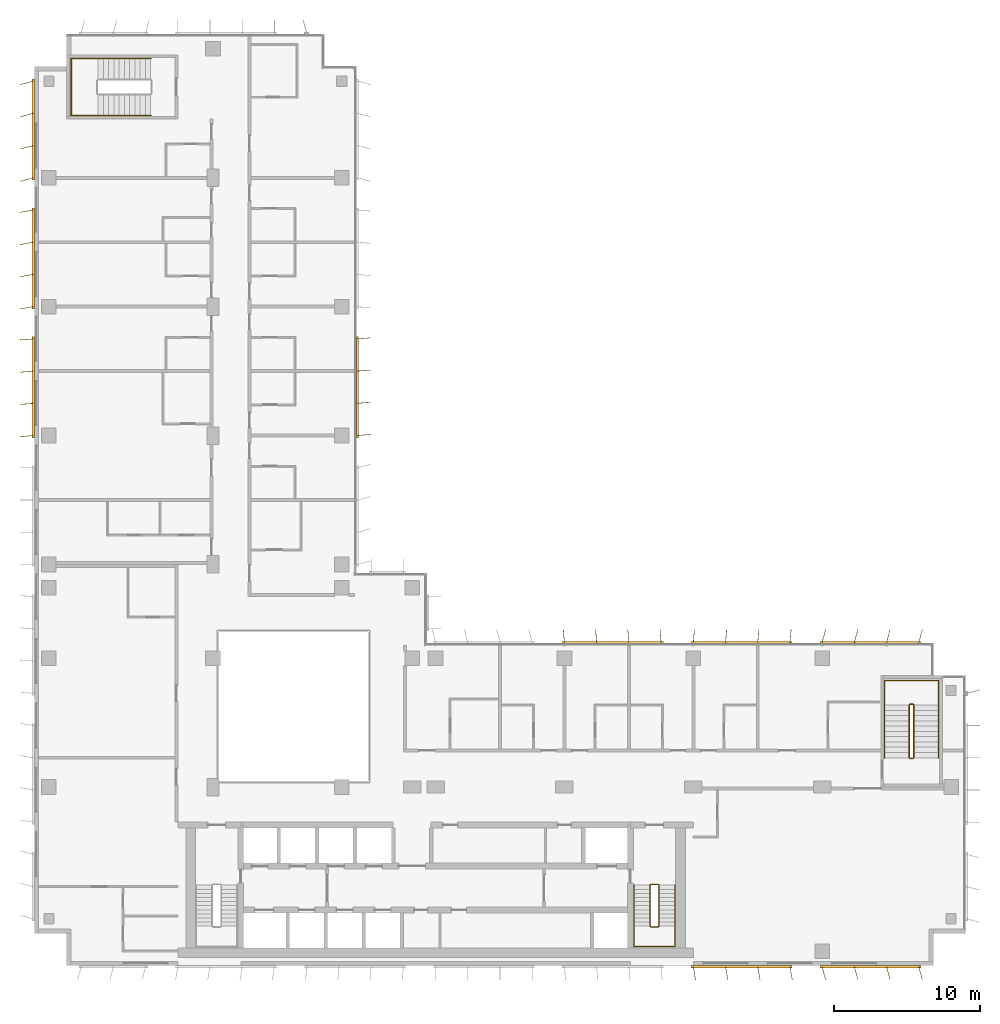
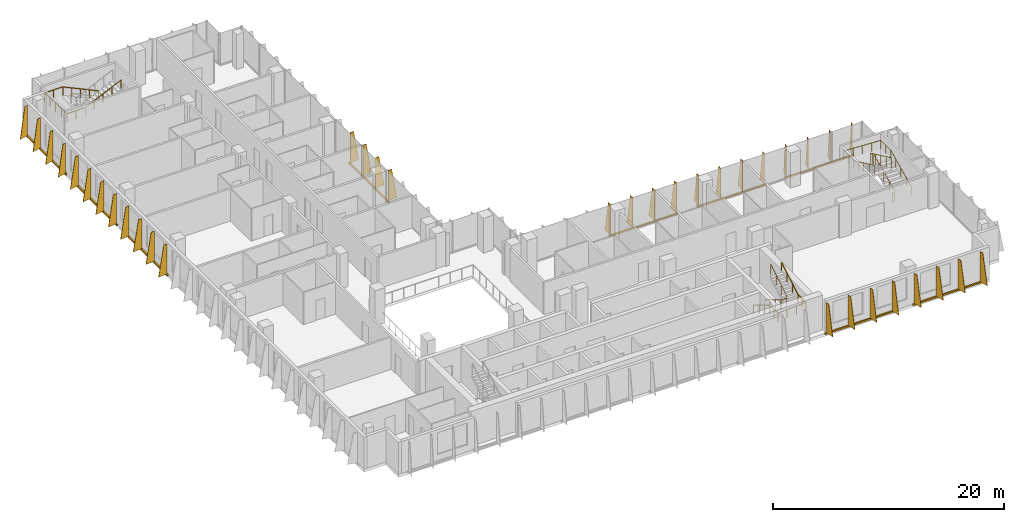
# One storey, part 20 of 21: 9 shading devices, 5 railings.
"""IFC4 building model written with IfcOpenShell, lengths in metres."""

from ifc_helpers import new_model, si_unit, direction, frame, origin, origin_2d, place, context, subcontext, project, spatial, polyline, rectangle, circle, outline, extrude, source, transform, mapped, material, layer, layer_set, type_object, element, save


model = new_model("IFC4")

# Units and contexts
model_context = context("Model", 3, precision=1e-05, world=origin(), true_north=direction((0.0, 1.0)))
body_context = subcontext(model_context, "Body", "Model", "MODEL_VIEW")
ifc_project = project(units=[si_unit("LENGTHUNIT", "METRE"), si_unit("AREAUNIT", "SQUARE_METRE"), si_unit("VOLUMEUNIT", "CUBIC_METRE"), si_unit("PLANEANGLEUNIT", "RADIAN"), si_unit("MASSUNIT", "GRAM", prefix="KILO")], contexts=[model_context])

# Site, building, storey
site_placement = place(None, origin())
site = spatial("IfcSite", under=ifc_project, at=site_placement, CompositionType="ELEMENT")
building_placement = place(site_placement, origin())
building = spatial("IfcBuilding", under=site, at=building_placement, Name="Kemantara Hotel Tower", CompositionType="ELEMENT")
storey_placement = place(building_placement, frame((0.0, 0.0, 182.699951171875)))
storey = spatial("IfcBuildingStorey", under=building, at=storey_placement, Name="L45", CompositionType="ELEMENT", Elevation=182.699951171875)

# Railings
ifc_material_1 = material(Name="Stainless steel balustrade", Category="steel")
railing_type_1 = type_object("IfcRailingType", Name="Stair guard 1100 mm", PredefinedType="GUARDRAIL", material=ifc_material_1)
railing_1_placement = place(storey_placement, frame((42.64990234375, 5.5, 3.699951171875)))
element("IfcRailing", 1, at=railing_1_placement, inside=storey, type_object=railing_type_1, Name="L45 ST2 stair guard 1", PredefinedType="GUARDRAIL", context=body_context, shape_type="SweptSolid", body=[
    extrude(circle(Radius=0.02392578125, at=origin_2d()), frame((0.0, 0.0, 1.076171875), z_axis=(0.0, -0.857275202839, -0.514858452973), x_axis=(1.0, 0.0, 0.0)), (0.0, 0.0, 1.0), 3.26611328125),
    extrude(circle(Radius=0.02392578125, at=origin_2d()), frame((0.0, -2.800048828125, -0.60546875), z_axis=(-0.273006030465, -0.27434429532, -0.922064485248), x_axis=(0.708833529934, -0.705375805398, 0.0)), (0.0, 0.0, 1.0), 0.182373046875),
    extrude(circle(Radius=0.02392578125, at=origin_2d()), frame((-0.0498046875, -2.85009765625, -0.77392578125), z_axis=(-1.0, 0.0, 0.0), x_axis=(0.0, -1.0, 0.0)), (0.0, 0.0, 1.0), 0.5),
    extrude(circle(Radius=0.02392578125, at=origin_2d()), frame((-0.5498046875, -2.85009765625, -0.77392578125), z_axis=(-0.707106781187, 0.707106781187, 0.0), x_axis=(-0.707106781187, -0.707106781187, 0.0)), (0.0, 0.0, 1.0), 0.07080078125),
    extrude(circle(Radius=0.02392578125, at=origin_2d()), frame((-0.599853515625, -2.800048828125, -0.77392578125), z_axis=(0.0, 0.857242210791, -0.514913383045), x_axis=(-1.0, 0.0, 0.0)), (0.0, 0.0, 1.0), 3.266357421875),
    extrude(circle(Radius=0.02392578125, at=origin_2d()), frame((-0.599853515625, 0.0, -2.45556640625), z_axis=(0.274243871929, 0.274243871929, -0.92172696468), x_axis=(-0.707106781187, 0.707106781187, 0.0)), (0.0, 0.0, 1.0), 0.1826171875),
    extrude(circle(Radius=0.02392578125, at=origin_2d()), frame((-0.5498046875, 0.050048828125, -2.6240234375), z_axis=(1.0, 0.0, 0.0), x_axis=(0.0, 1.0, 0.0)), (0.0, 0.0, 1.0), 0.5),
    extrude(circle(Radius=0.02099609375, at=origin_2d()), origin(), (0.0, 0.0, 1.0), 1.052001953125),
    extrude(circle(Radius=0.02099609375, at=origin_2d()), frame((0.0, -0.933349609375, -0.560546875)), (0.0, 0.0, 1.0), 1.052001953125),
    extrude(circle(Radius=0.02099609375, at=origin_2d()), frame((0.0, -1.86669921875, -1.12109375)), (0.0, 0.0, 1.0), 1.052001953125),
    extrude(circle(Radius=0.02099609375, at=origin_2d()), frame((0.0, -2.800048828125, -1.681640625)), (0.0, 0.0, 1.0), 1.052001953125),
    extrude(circle(Radius=0.02099609375, at=origin_2d()), frame((-0.0498046875, -2.85009765625, -1.849853515625)), (0.0, 0.0, 1.0), 1.052001953125),
    extrude(circle(Radius=0.02099609375, at=origin_2d()), frame((-0.5498046875, -2.85009765625, -1.849853515625)), (0.0, 0.0, 1.0), 1.052001953125),
    extrude(circle(Radius=0.02099609375, at=origin_2d()), frame((-0.599853515625, -2.800048828125, -1.849853515625)), (0.0, 0.0, 1.0), 1.052001953125),
    extrude(circle(Radius=0.02099609375, at=origin_2d()), frame((-0.599853515625, -1.86669921875, -2.410400390625)), (0.0, 0.0, 1.0), 1.052001953125),
    extrude(circle(Radius=0.02099609375, at=origin_2d()), frame((-0.599853515625, -0.933349609375, -2.97119140625)), (0.0, 0.0, 1.0), 1.052001953125),
    extrude(circle(Radius=0.02099609375, at=origin_2d()), frame((-0.599853515625, 0.0, -3.53173828125)), (0.0, 0.0, 1.0), 1.052001953125),
    extrude(circle(Radius=0.02099609375, at=origin_2d()), frame((-0.5498046875, 0.050048828125, -3.699951171875)), (0.0, 0.0, 1.0), 1.052001953125),
    extrude(circle(Radius=0.02099609375, at=origin_2d()), frame((-0.0498046875, 0.050048828125, -3.699951171875)), (0.0, 0.0, 1.0), 1.052001953125),
])
railing_2_placement = place(storey_placement, frame((59.75, 14.199951171875, 3.699951171875)))
element("IfcRailing", 2, at=railing_2_placement, inside=storey, type_object=railing_type_1, Name="L45 ST3 stair guard 1", PredefinedType="GUARDRAIL", context=body_context, shape_type="SweptSolid", body=[
    extrude(circle(Radius=0.02392578125, at=origin_2d()), frame((0.0, 0.0, 1.076171875), z_axis=(0.0, 0.906029249863, -0.423215073447), x_axis=(-1.0, 0.0, 0.0)), (0.0, 0.0, 1.0), 3.973388671875),
    extrude(circle(Radius=0.02392578125, at=origin_2d()), frame((0.0, 3.60009765625, -0.60546875), z_axis=(0.274243871929, 0.274243871929, -0.92172696468), x_axis=(-0.707106781187, 0.707106781187, 0.0)), (0.0, 0.0, 1.0), 0.1826171875),
    extrude(circle(Radius=0.02392578125, at=origin_2d()), frame((0.050048828125, 3.650146484375, -0.77392578125), z_axis=(1.0, 0.0, 0.0), x_axis=(0.0, 1.0, 0.0)), (0.0, 0.0, 1.0), 0.199951171875),
    extrude(circle(Radius=0.02392578125, at=origin_2d()), frame((0.25, 3.650146484375, -0.77392578125), z_axis=(0.707106781187, -0.707106781187, 0.0), x_axis=(0.707106781187, 0.707106781187, 0.0)), (0.0, 0.0, 1.0), 0.07080078125),
    extrude(circle(Radius=0.02392578125, at=origin_2d()), frame((0.300048828125, 3.60009765625, -0.77392578125), z_axis=(0.0, -0.906005689286, -0.423265508849), x_axis=(1.0, 0.0, 0.0)), (0.0, 0.0, 1.0), 3.9736328125),
    extrude(circle(Radius=0.02392578125, at=origin_2d()), frame((0.300048828125, 0.0, -2.45556640625), z_axis=(-0.274243871929, -0.274243871929, -0.92172696468), x_axis=(0.707106781187, -0.707106781187, 0.0)), (0.0, 0.0, 1.0), 0.1826171875),
    extrude(circle(Radius=0.02392578125, at=origin_2d()), frame((0.25, -0.050048828125, -2.6240234375), z_axis=(-1.0, 0.0, 0.0), x_axis=(0.0, -1.0, 0.0)), (0.0, 0.0, 1.0), 0.199951171875),
    extrude(circle(Radius=0.02099609375, at=origin_2d()), origin(), (0.0, 0.0, 1.0), 1.052001953125),
    extrude(circle(Radius=0.02099609375, at=origin_2d()), frame((0.0, 0.89990234375, -0.42041015625)), (0.0, 0.0, 1.0), 1.052001953125),
    extrude(circle(Radius=0.02099609375, at=origin_2d()), frame((0.0, 1.800048828125, -0.8408203125)), (0.0, 0.0, 1.0), 1.052001953125),
    extrude(circle(Radius=0.02099609375, at=origin_2d()), frame((0.0, 2.7001953125, -1.26123046875)), (0.0, 0.0, 1.0), 1.052001953125),
    extrude(circle(Radius=0.02099609375, at=origin_2d()), frame((0.0, 3.60009765625, -1.681640625)), (0.0, 0.0, 1.0), 1.052001953125),
    extrude(circle(Radius=0.02099609375, at=origin_2d()), frame((0.050048828125, 3.650146484375, -1.849853515625)), (0.0, 0.0, 1.0), 1.052001953125),
    extrude(circle(Radius=0.02099609375, at=origin_2d()), frame((0.25, 3.650146484375, -1.849853515625)), (0.0, 0.0, 1.0), 1.052001953125),
    extrude(circle(Radius=0.02099609375, at=origin_2d()), frame((0.300048828125, 3.60009765625, -1.849853515625)), (0.0, 0.0, 1.0), 1.052001953125),
    extrude(circle(Radius=0.02099609375, at=origin_2d()), frame((0.300048828125, 2.7001953125, -2.270263671875)), (0.0, 0.0, 1.0), 1.052001953125),
    extrude(circle(Radius=0.02099609375, at=origin_2d()), frame((0.300048828125, 1.800048828125, -2.69091796875)), (0.0, 0.0, 1.0), 1.052001953125),
    extrude(circle(Radius=0.02099609375, at=origin_2d()), frame((0.300048828125, 0.89990234375, -3.111328125)), (0.0, 0.0, 1.0), 1.052001953125),
    extrude(circle(Radius=0.02099609375, at=origin_2d()), frame((0.300048828125, 0.0, -3.53173828125)), (0.0, 0.0, 1.0), 1.052001953125),
    extrude(circle(Radius=0.02099609375, at=origin_2d()), frame((0.25, -0.050048828125, -3.699951171875)), (0.0, 0.0, 1.0), 1.052001953125),
    extrude(circle(Radius=0.02099609375, at=origin_2d()), frame((0.050048828125, -0.050048828125, -3.699951171875)), (0.0, 0.0, 1.0), 1.052001953125),
])
railing_type_2 = type_object("IfcRailingType", Name="Stair handrail 900 mm", PredefinedType="HANDRAIL", material=ifc_material_1)
railing_3_placement = place(storey_placement, frame((40.949951171875, 5.5, 0.168212890625)))
element("IfcRailing", 3, at=railing_3_placement, inside=storey, type_object=railing_type_2, Name="L45 ST2 stair handrail 1", PredefinedType="HANDRAIL", context=body_context, shape_type="SweptSolid", body=[
    extrude(circle(Radius=0.02392578125, at=origin_2d()), frame((0.0, 0.0, 0.8759765625), z_axis=(0.0, -0.857242210791, 0.514913383045), x_axis=(1.0, 0.0, 0.0)), (0.0, 0.0, 1.0), 3.266357421875),
    extrude(circle(Radius=0.02392578125, at=origin_2d()), frame((0.0, -2.800048828125, 2.5576171875), z_axis=(0.0, -1.0, 0.0), x_axis=(1.0, 0.0, 0.0)), (0.0, 0.0, 1.0), 1.3798828125),
    extrude(circle(Radius=0.02392578125, at=origin_2d()), frame((0.0, -4.179931640625, 2.5576171875), z_axis=(0.998200367801, 0.0, 0.059966871865), x_axis=(0.0, 1.0, 0.0)), (0.0, 0.0, 1.0), 2.80517578125),
    extrude(circle(Radius=0.02392578125, at=origin_2d()), frame((2.800048828125, -4.179931640625, 2.72607421875), z_axis=(0.0, 1.0, 0.0), x_axis=(-1.0, 0.0, 0.0)), (0.0, 0.0, 1.0), 1.3798828125),
    extrude(circle(Radius=0.02392578125, at=origin_2d()), frame((2.800048828125, -2.800048828125, 2.72607421875), z_axis=(0.0, 0.857275202839, 0.514858452973), x_axis=(-1.0, 0.0, 0.0)), (0.0, 0.0, 1.0), 3.26611328125),
    extrude(circle(Radius=0.02099609375, at=origin_2d()), origin(), (0.0, 0.0, 1.0), 0.851806640625),
    extrude(circle(Radius=0.02099609375, at=origin_2d()), frame((0.0, -0.933349609375, 0.560546875)), (0.0, 0.0, 1.0), 0.851806640625),
    extrude(circle(Radius=0.02099609375, at=origin_2d()), frame((0.0, -1.86669921875, 1.121337890625)), (0.0, 0.0, 1.0), 0.851806640625),
    extrude(circle(Radius=0.02099609375, at=origin_2d()), frame((0.0, -2.800048828125, 1.681884765625)), (0.0, 0.0, 1.0), 0.851806640625),
    extrude(circle(Radius=0.02099609375, at=origin_2d()), frame((0.0, -3.489990234375, 1.681884765625)), (0.0, 0.0, 1.0), 0.851806640625),
    extrude(circle(Radius=0.02099609375, at=origin_2d()), frame((0.0, -4.179931640625, 1.681884765625)), (0.0, 0.0, 1.0), 0.851806640625),
    extrude(circle(Radius=0.02099609375, at=origin_2d()), frame((0.933349609375, -4.179931640625, 1.738037109375)), (0.0, 0.0, 1.0), 0.851806640625),
    extrude(circle(Radius=0.02099609375, at=origin_2d()), frame((1.86669921875, -4.179931640625, 1.7939453125)), (0.0, 0.0, 1.0), 0.851806640625),
    extrude(circle(Radius=0.02099609375, at=origin_2d()), frame((2.800048828125, -4.179931640625, 1.85009765625)), (0.0, 0.0, 1.0), 0.851806640625),
    extrude(circle(Radius=0.02099609375, at=origin_2d()), frame((2.800048828125, -3.489990234375, 1.85009765625)), (0.0, 0.0, 1.0), 0.851806640625),
    extrude(circle(Radius=0.02099609375, at=origin_2d()), frame((2.800048828125, -2.800048828125, 1.85009765625)), (0.0, 0.0, 1.0), 0.851806640625),
    extrude(circle(Radius=0.02099609375, at=origin_2d()), frame((2.800048828125, -1.86669921875, 2.41064453125)), (0.0, 0.0, 1.0), 0.851806640625),
    extrude(circle(Radius=0.02099609375, at=origin_2d()), frame((2.800048828125, -0.933349609375, 2.97119140625)), (0.0, 0.0, 1.0), 0.851806640625),
    extrude(circle(Radius=0.02099609375, at=origin_2d()), frame((2.800048828125, 0.0, 3.53173828125)), (0.0, 0.0, 1.0), 0.851806640625),
])
railing_4_placement = place(storey_placement, frame((61.75, 14.199951171875, 0.168212890625)))
element("IfcRailing", 4, at=railing_4_placement, inside=storey, type_object=railing_type_2, Name="L45 ST3 stair handrail 1", PredefinedType="HANDRAIL", context=body_context, shape_type="SweptSolid", body=[
    extrude(circle(Radius=0.02392578125, at=origin_2d()), frame((0.0, 0.0, 0.8759765625), z_axis=(0.0, 0.906005689286, 0.423265508849), x_axis=(-1.0, 0.0, 0.0)), (0.0, 0.0, 1.0), 3.9736328125),
    extrude(circle(Radius=0.02392578125, at=origin_2d()), frame((0.0, 3.60009765625, 2.5576171875), z_axis=(0.0, 1.0, 0.0), x_axis=(-1.0, 0.0, 0.0)), (0.0, 0.0, 1.0), 1.679931640625),
    extrude(circle(Radius=0.02392578125, at=origin_2d()), frame((0.0, 5.280029296875, 2.5576171875), z_axis=(-0.998968132438, 0.0, 0.045416631029), x_axis=(0.0, -1.0, 0.0)), (0.0, 0.0, 1.0), 3.703857421875),
    extrude(circle(Radius=0.02392578125, at=origin_2d()), frame((-3.699951171875, 5.280029296875, 2.72607421875), z_axis=(0.0, -1.0, 0.0), x_axis=(1.0, 0.0, 0.0)), (0.0, 0.0, 1.0), 1.679931640625),
    extrude(circle(Radius=0.02392578125, at=origin_2d()), frame((-3.699951171875, 3.60009765625, 2.72607421875), z_axis=(0.0, -0.906029249863, 0.423215073447), x_axis=(1.0, 0.0, 0.0)), (0.0, 0.0, 1.0), 3.973388671875),
    extrude(circle(Radius=0.02099609375, at=origin_2d()), origin(), (0.0, 0.0, 1.0), 0.851806640625),
    extrude(circle(Radius=0.02099609375, at=origin_2d()), frame((0.0, 0.89990234375, 0.42041015625)), (0.0, 0.0, 1.0), 0.851806640625),
    extrude(circle(Radius=0.02099609375, at=origin_2d()), frame((0.0, 1.800048828125, 0.8408203125)), (0.0, 0.0, 1.0), 0.851806640625),
    extrude(circle(Radius=0.02099609375, at=origin_2d()), frame((0.0, 2.7001953125, 1.261474609375)), (0.0, 0.0, 1.0), 0.851806640625),
    extrude(circle(Radius=0.02099609375, at=origin_2d()), frame((0.0, 3.60009765625, 1.681884765625)), (0.0, 0.0, 1.0), 0.851806640625),
    extrude(circle(Radius=0.02099609375, at=origin_2d()), frame((0.0, 4.43994140625, 1.681884765625)), (0.0, 0.0, 1.0), 0.851806640625),
    extrude(circle(Radius=0.02099609375, at=origin_2d()), frame((0.0, 5.280029296875, 1.681884765625)), (0.0, 0.0, 1.0), 0.851806640625),
    extrude(circle(Radius=0.02099609375, at=origin_2d()), frame((-0.925048828125, 5.280029296875, 1.723876953125)), (0.0, 0.0, 1.0), 0.851806640625),
    extrude(circle(Radius=0.02099609375, at=origin_2d()), frame((-1.85009765625, 5.280029296875, 1.76611328125)), (0.0, 0.0, 1.0), 0.851806640625),
    extrude(circle(Radius=0.02099609375, at=origin_2d()), frame((-2.77490234375, 5.280029296875, 1.80810546875)), (0.0, 0.0, 1.0), 0.851806640625),
    extrude(circle(Radius=0.02099609375, at=origin_2d()), frame((-3.699951171875, 5.280029296875, 1.85009765625)), (0.0, 0.0, 1.0), 0.851806640625),
    extrude(circle(Radius=0.02099609375, at=origin_2d()), frame((-3.699951171875, 4.43994140625, 1.85009765625)), (0.0, 0.0, 1.0), 0.851806640625),
    extrude(circle(Radius=0.02099609375, at=origin_2d()), frame((-3.699951171875, 3.60009765625, 1.85009765625)), (0.0, 0.0, 1.0), 0.851806640625),
    extrude(circle(Radius=0.02099609375, at=origin_2d()), frame((-3.699951171875, 2.7001953125, 2.2705078125)), (0.0, 0.0, 1.0), 0.851806640625),
    extrude(circle(Radius=0.02099609375, at=origin_2d()), frame((-3.699951171875, 1.800048828125, 2.69091796875)), (0.0, 0.0, 1.0), 0.851806640625),
    extrude(circle(Radius=0.02099609375, at=origin_2d()), frame((-3.699951171875, 0.89990234375, 3.111328125)), (0.0, 0.0, 1.0), 0.851806640625),
    extrude(circle(Radius=0.02099609375, at=origin_2d()), frame((-3.699951171875, 0.0, 3.53173828125)), (0.0, 0.0, 1.0), 0.851806640625),
])
railing_5_placement = place(storey_placement, frame((7.949951171875, 61.949951171875, 0.168212890625)))
element("IfcRailing", 5, at=railing_5_placement, inside=storey, type_object=railing_type_2, Name="L45 ST4 stair handrail 1", PredefinedType="HANDRAIL", context=body_context, shape_type="SweptSolid", body=[
    extrude(circle(Radius=0.02392578125, at=origin_2d()), frame((0.0, 0.0, 0.8759765625), z_axis=(-0.905994681025, 0.0, 0.423289071386), x_axis=(0.0, -1.0, 0.0)), (0.0, 0.0, 1.0), 3.973388671875),
    extrude(circle(Radius=0.02392578125, at=origin_2d()), frame((-3.599853515625, 0.0, 2.5576171875), z_axis=(-1.0, 0.0, 0.0), x_axis=(0.0, -1.0, 0.0)), (0.0, 0.0, 1.0), 1.830078125),
    extrude(circle(Radius=0.02392578125, at=origin_2d()), frame((-5.429931640625, 0.0, 2.5576171875), z_axis=(0.0, -0.999071085748, 0.043092523981), x_axis=(1.0, 0.0, 0.0)), (0.0, 0.0, 1.0), 3.903564453125),
    extrude(circle(Radius=0.02392578125, at=origin_2d()), frame((-5.429931640625, -3.89990234375, 2.72607421875), z_axis=(1.0, 0.0, 0.0), x_axis=(0.0, 1.0, 0.0)), (0.0, 0.0, 1.0), 1.830078125),
    extrude(circle(Radius=0.02392578125, at=origin_2d()), frame((-3.599853515625, -3.89990234375, 2.72607421875), z_axis=(0.906018243939, 0.0, 0.423238634402), x_axis=(0.0, 1.0, 0.0)), (0.0, 0.0, 1.0), 3.973388671875),
    extrude(circle(Radius=0.02099609375, at=origin_2d()), origin(), (0.0, 0.0, 1.0), 0.851806640625),
    extrude(circle(Radius=0.02099609375, at=origin_2d()), frame((-0.89990234375, 0.0, 0.42041015625)), (0.0, 0.0, 1.0), 0.851806640625),
    extrude(circle(Radius=0.02099609375, at=origin_2d()), frame((-1.7998046875, 0.0, 0.8408203125)), (0.0, 0.0, 1.0), 0.851806640625),
    extrude(circle(Radius=0.02099609375, at=origin_2d()), frame((-2.699951171875, 0.0, 1.261474609375)), (0.0, 0.0, 1.0), 0.851806640625),
    extrude(circle(Radius=0.02099609375, at=origin_2d()), frame((-3.599853515625, 0.0, 1.681884765625)), (0.0, 0.0, 1.0), 0.851806640625),
    extrude(circle(Radius=0.02099609375, at=origin_2d()), frame((-4.514892578125, 0.0, 1.681884765625)), (0.0, 0.0, 1.0), 0.851806640625),
    extrude(circle(Radius=0.02099609375, at=origin_2d()), frame((-5.429931640625, 0.0, 1.681884765625)), (0.0, 0.0, 1.0), 0.851806640625),
    extrude(circle(Radius=0.02099609375, at=origin_2d()), frame((-5.429931640625, -0.97509765625, 1.723876953125)), (0.0, 0.0, 1.0), 0.851806640625),
    extrude(circle(Radius=0.02099609375, at=origin_2d()), frame((-5.429931640625, -1.949951171875, 1.76611328125)), (0.0, 0.0, 1.0), 0.851806640625),
    extrude(circle(Radius=0.02099609375, at=origin_2d()), frame((-5.429931640625, -2.9248046875, 1.80810546875)), (0.0, 0.0, 1.0), 0.851806640625),
    extrude(circle(Radius=0.02099609375, at=origin_2d()), frame((-5.429931640625, -3.89990234375, 1.85009765625)), (0.0, 0.0, 1.0), 0.851806640625),
    extrude(circle(Radius=0.02099609375, at=origin_2d()), frame((-4.514892578125, -3.89990234375, 1.85009765625)), (0.0, 0.0, 1.0), 0.851806640625),
    extrude(circle(Radius=0.02099609375, at=origin_2d()), frame((-3.599853515625, -3.89990234375, 1.85009765625)), (0.0, 0.0, 1.0), 0.851806640625),
    extrude(circle(Radius=0.02099609375, at=origin_2d()), frame((-2.699951171875, -3.89990234375, 2.2705078125)), (0.0, 0.0, 1.0), 0.851806640625),
    extrude(circle(Radius=0.02099609375, at=origin_2d()), frame((-1.7998046875, -3.89990234375, 2.69091796875)), (0.0, 0.0, 1.0), 0.851806640625),
    extrude(circle(Radius=0.02099609375, at=origin_2d()), frame((-0.89990234375, -3.89990234375, 3.111328125)), (0.0, 0.0, 1.0), 0.851806640625),
    extrude(circle(Radius=0.02099609375, at=origin_2d()), frame((0.0, -3.89990234375, 3.53173828125)), (0.0, 0.0, 1.0), 0.851806640625),
])

# Shading devices
ifc_material_2 = material(Name="Perforated aluminium plate 4 mm bronze anodised", Category="aluminium")
ifc_layer_1 = layer(ifc_material_2, 0.0400390625)
ifc_layer_set_1 = layer_set([ifc_layer_1], Name="Perforated aluminium plate 4 mm bronze anodised")
shading_device_type_1 = type_object("IfcShadingDeviceType", Name="SCREEN FIN CASSETTE, 4 BLADES AT -5.0 DEG, 3200 HIGH", PredefinedType="USERDEFINED", material=ifc_layer_set_1)
shared_shape_1 = source(origin(), body_context, "Body", "SweptSolid", [
    extrude(rectangle(XDim=6.89990234375, YDim=0.14990234375, at=origin_2d()), frame((3.300048828125, -0.074951171875, -0.14990234375), z_axis=(0.0, 0.0, 1.0), x_axis=(1.0, 0.0, 0.0)), (0.0, 0.0, 1.0), 0.14990234375),
    extrude(outline(polyline([(0.0, 0.0), (0.89990234375, 0.0), (0.35009765625, 3.199951171875), (0.0, 3.199951171875), (0.0, 0.0)])), frame((0.02001953125, -0.07666015625, 0.0), z_axis=(-0.996376129781, 0.085056498884, 0.0), x_axis=(-0.085056498884, -0.996376129781, 0.0)), (0.0, 0.0, 1.0), 0.040283203125),
    extrude(outline(polyline([(0.0, 0.0), (0.89990234375, 0.0), (0.35009765625, 3.199951171875), (0.0, 3.199951171875), (0.0, 0.0)])), frame((2.219970703125, -0.07666015625, 0.0), z_axis=(-0.996331773833, 0.085574508182, 0.0), x_axis=(-0.085574508182, -0.996331773833, 0.0)), (0.0, 0.0, 1.0), 0.0400390625),
    extrude(outline(polyline([(0.0, 0.0), (0.89990234375, 0.0), (0.35009765625, 3.199951171875), (0.0, 3.199951171875), (0.0, 0.0)])), frame((4.419921875, -0.07666015625, 0.0), z_axis=(-0.996331773833, 0.085574508182, 0.0), x_axis=(-0.085574508182, -0.996331773833, 0.0)), (0.0, 0.0, 1.0), 0.0400390625),
    extrude(outline(polyline([(0.0, 0.0), (0.89990234375, 0.0), (0.35009765625, 3.199951171875), (0.0, 3.199951171875), (0.0, 0.0)])), frame((6.619873046875, -0.07666015625, 0.0), z_axis=(-0.996331773833, 0.085574508182, 0.0), x_axis=(-0.085574508182, -0.996331773833, 0.0)), (0.0, 0.0, 1.0), 0.0400390625),
])
shading_device_1_placement = place(storey_placement, frame((51.60009765625, 22.0, 0.10009765625), z_axis=(0.0, 0.0, 1.0), x_axis=(-1.0, 0.0, 0.0)))
element("IfcShadingDevice", 6, at=shading_device_1_placement, inside=storey, type_object=shading_device_type_1, Name="SCREEN FIN CASSETTE L45 T3-R14-2", ObjectType="SCREEN FIN", PredefinedType="USERDEFINED", context=body_context, shape_type="MappedRepresentation", body=[
    mapped(shared_shape_1, transform((0.0, 0.0, 0.0))),
])
ifc_layer_2 = layer(ifc_material_2, 0.0400390625)
ifc_layer_set_2 = layer_set([ifc_layer_2], Name="Perforated aluminium plate 4 mm bronze anodised")
shading_device_type_2 = type_object("IfcShadingDeviceType", Name="SCREEN FIN CASSETTE, 4 BLADES AT +5.0 DEG, 3200 HIGH", PredefinedType="USERDEFINED", material=ifc_layer_set_2)
shared_shape_2 = source(origin(), body_context, "Body", "SweptSolid", [
    extrude(rectangle(XDim=6.89990234375, YDim=0.14990234375, at=origin_2d()), frame((3.300048828125, -0.074951171875, -0.14990234375), z_axis=(0.0, 0.0, 1.0), x_axis=(1.0, 0.0, 0.0)), (0.0, 0.0, 1.0), 0.14990234375),
    extrude(outline(polyline([(0.0, 0.0), (0.89990234375, 0.0), (0.35009765625, 3.199951171875), (0.0, 3.199951171875), (0.0, 0.0)])), frame((0.02001953125, -0.0732421875, 0.0), z_axis=(-0.996376129781, -0.085056498884, 0.0), x_axis=(0.085056498884, -0.996376129781, 0.0)), (0.0, 0.0, 1.0), 0.040283203125),
    extrude(outline(polyline([(0.0, 0.0), (0.89990234375, 0.0), (0.35009765625, 3.199951171875), (0.0, 3.199951171875), (0.0, 0.0)])), frame((2.219970703125, -0.0732421875, 0.0), z_axis=(-0.996331773833, -0.085574508182, 0.0), x_axis=(0.085574508182, -0.996331773833, 0.0)), (0.0, 0.0, 1.0), 0.0400390625),
    extrude(outline(polyline([(0.0, 0.0), (0.89990234375, 0.0), (0.35009765625, 3.199951171875), (0.0, 3.199951171875), (0.0, 0.0)])), frame((4.419921875, -0.0732421875, 0.0), z_axis=(-0.996331773833, -0.085574508182, 0.0), x_axis=(0.085574508182, -0.996331773833, 0.0)), (0.0, 0.0, 1.0), 0.0400390625),
    extrude(outline(polyline([(0.0, 0.0), (0.89990234375, 0.0), (0.35009765625, 3.199951171875), (0.0, 3.199951171875), (0.0, 0.0)])), frame((6.619873046875, -0.0732421875, 0.0), z_axis=(-0.996331773833, -0.085574508182, 0.0), x_axis=(0.085574508182, -0.996331773833, 0.0)), (0.0, 0.0, 1.0), 0.0400390625),
])
for number, where, z_axis, x_axis, name in (
    (7, (0.0, 42.800048828125, 0.10009765625), (0.0, 0.0, 1.0), (0.0, -1.0, 0.0), "SCREEN FIN CASSETTE L45 T3-R05-3"),
    (8, (42.800048828125, 22.0, 0.10009765625), (0.0, 0.0, 1.0), (-1.0, 0.0, 0.0), "SCREEN FIN CASSETTE L45 T3-R14-3"),
    (9, (22.0, 36.199951171875, 0.10009765625), (0.0, 0.0, 1.0), (0.0, 1.0, 0.0), "SCREEN FIN CASSETTE L45 T3-R17-2"),
):
    element("IfcShadingDevice", number, at=place(storey_placement, frame(where, z_axis=z_axis, x_axis=x_axis)), inside=storey, type_object=shading_device_type_2, Name=name, ObjectType="SCREEN FIN", PredefinedType="USERDEFINED", context=body_context, shape_type="MappedRepresentation", body=[
        mapped(shared_shape_2, transform((0.0, 0.0, 0.0))),
    ])
ifc_layer_3 = layer(ifc_material_2, 0.0400390625)
ifc_layer_set_3 = layer_set([ifc_layer_3], Name="Perforated aluminium plate 4 mm bronze anodised")
shading_device_type_3 = type_object("IfcShadingDeviceType", Name="SCREEN FIN CASSETTE, 4 BLADES AT +10.0 DEG, 3200 HIGH", PredefinedType="USERDEFINED", material=ifc_layer_set_3)
shared_shape_3 = source(origin(), body_context, "Body", "SweptSolid", [
    extrude(rectangle(XDim=6.89990234375, YDim=0.14990234375, at=origin_2d()), frame((3.300048828125, -0.074951171875, -0.14990234375), z_axis=(0.0, 0.0, 1.0), x_axis=(1.0, 0.0, 0.0)), (0.0, 0.0, 1.0), 0.14990234375),
    extrude(outline(polyline([(0.0, 0.0), (0.89990234375, 0.0), (0.35009765625, 3.199951171875), (0.0, 3.199951171875), (0.0, 0.0)])), frame((0.019775390625, -0.071533203125, 0.0), z_axis=(-0.985389793052, -0.170314285219, 0.0), x_axis=(0.170314285219, -0.985389793052, 0.0)), (0.0, 0.0, 1.0), 0.0400390625),
    extrude(outline(polyline([(0.0, 0.0), (0.89990234375, 0.0), (0.35009765625, 3.199951171875), (0.0, 3.199951171875), (0.0, 0.0)])), frame((2.2197265625, -0.071533203125, 0.0), z_axis=(-0.98521175482, -0.171341174751, 0.0), x_axis=(0.171341174751, -0.98521175482, 0.0)), (0.0, 0.0, 1.0), 0.039794921875),
    extrude(outline(polyline([(0.0, 0.0), (0.89990234375, 0.0), (0.35009765625, 3.199951171875), (0.0, 3.199951171875), (0.0, 0.0)])), frame((4.419677734375, -0.071533203125, 0.0), z_axis=(-0.98521175482, -0.171341174751, 0.0), x_axis=(0.171341174751, -0.98521175482, 0.0)), (0.0, 0.0, 1.0), 0.039794921875),
    extrude(outline(polyline([(0.0, 0.0), (0.89990234375, 0.0), (0.35009765625, 3.199951171875), (0.0, 3.199951171875), (0.0, 0.0)])), frame((6.61962890625, -0.071533203125, 0.0), z_axis=(-0.98521175482, -0.171341174751, 0.0), x_axis=(0.171341174751, -0.98521175482, 0.0)), (0.0, 0.0, 1.0), 0.039794921875),
])
for number, where, z_axis, x_axis, name in (
    (10, (0.0, 51.60009765625, 0.10009765625), (0.0, 0.0, 1.0), (0.0, -1.0, 0.0), "SCREEN FIN CASSETTE L45 T3-R05-2"),
    (11, (45.0, 0.0, 0.10009765625), (0.0, 0.0, 1.0), (1.0, 0.0, 0.0), "SCREEN FIN CASSETTE L45 T3-R08-6"),
):
    element("IfcShadingDevice", number, at=place(storey_placement, frame(where, z_axis=z_axis, x_axis=x_axis)), inside=storey, type_object=shading_device_type_3, Name=name, ObjectType="SCREEN FIN", PredefinedType="USERDEFINED", context=body_context, shape_type="MappedRepresentation", body=[
        mapped(shared_shape_3, transform((0.0, 0.0, 0.0))),
    ])
ifc_layer_4 = layer(ifc_material_2, 0.0400390625)
ifc_layer_set_4 = layer_set([ifc_layer_4], Name="Perforated aluminium plate 4 mm bronze anodised")
shading_device_type_4 = type_object("IfcShadingDeviceType", Name="SCREEN FIN CASSETTE, 4 BLADES AT +15.0 DEG, 3200 HIGH", PredefinedType="USERDEFINED", material=ifc_layer_set_4)
shared_shape_4 = source(origin(), body_context, "Body", "SweptSolid", [
    extrude(rectangle(XDim=6.89990234375, YDim=0.14990234375, at=origin_2d()), frame((3.300048828125, -0.074951171875, -0.14990234375), z_axis=(0.0, 0.0, 1.0), x_axis=(1.0, 0.0, 0.0)), (0.0, 0.0, 1.0), 0.14990234375),
    extrude(outline(polyline([(0.0, 0.0), (0.89990234375, 0.0), (0.35009765625, 3.199951171875), (0.0, 3.199951171875), (0.0, 0.0)])), frame((0.019287109375, -0.06982421875, 0.0), z_axis=(-0.966437683387, -0.256901156343, 0.0), x_axis=(0.256901156343, -0.966437683387, 0.0)), (0.0, 0.0, 1.0), 0.039794921875),
    extrude(outline(polyline([(0.0, 0.0), (0.89990234375, 0.0), (0.35009765625, 3.199951171875), (0.0, 3.199951171875), (0.0, 0.0)])), frame((2.21923828125, -0.06982421875, 0.0), z_axis=(-0.966437683387, -0.256901156343, 0.0), x_axis=(0.256901156343, -0.966437683387, 0.0)), (0.0, 0.0, 1.0), 0.039794921875),
    extrude(outline(polyline([(0.0, 0.0), (0.89990234375, 0.0), (0.35009765625, 3.199951171875), (0.0, 3.199951171875), (0.0, 0.0)])), frame((4.41943359375, -0.06982421875, 0.0), z_axis=(-0.966837822169, -0.255391122837, 0.0), x_axis=(0.255391122837, -0.966837822169, 0.0)), (0.0, 0.0, 1.0), 0.0400390625),
    extrude(outline(polyline([(0.0, 0.0), (0.89990234375, 0.0), (0.35009765625, 3.199951171875), (0.0, 3.199951171875), (0.0, 0.0)])), frame((6.619384765625, -0.06982421875, 0.0), z_axis=(-0.966837822169, -0.255391122837, 0.0), x_axis=(0.255391122837, -0.966837822169, 0.0)), (0.0, 0.0, 1.0), 0.0400390625),
])
for number, where, z_axis, x_axis, name in (
    (12, (0.0, 60.39990234375, 0.10009765625), (0.0, 0.0, 1.0), (0.0, -1.0, 0.0), "SCREEN FIN CASSETTE L45 T3-R05-1"),
    (13, (53.800048828125, 0.0, 0.10009765625), (0.0, 0.0, 1.0), (1.0, 0.0, 0.0), "SCREEN FIN CASSETTE L45 T3-R08-7"),
):
    element("IfcShadingDevice", number, at=place(storey_placement, frame(where, z_axis=z_axis, x_axis=x_axis)), inside=storey, type_object=shading_device_type_4, Name=name, ObjectType="SCREEN FIN", PredefinedType="USERDEFINED", context=body_context, shape_type="MappedRepresentation", body=[
        mapped(shared_shape_4, transform((0.0, 0.0, 0.0))),
    ])
ifc_layer_5 = layer(ifc_material_2, 0.0400390625)
ifc_layer_set_5 = layer_set([ifc_layer_5], Name="Perforated aluminium plate 4 mm bronze anodised")
shading_device_type_5 = type_object("IfcShadingDeviceType", Name="SCREEN FIN CASSETTE, 4 BLADES AT -15.0 DEG, 3200 HIGH", PredefinedType="USERDEFINED", material=ifc_layer_set_5)
shared_shape_5 = source(origin(), body_context, "Body", "SweptSolid", [
    extrude(rectangle(XDim=6.89990234375, YDim=0.14990234375, at=origin_2d()), frame((3.300048828125, -0.074951171875, -0.14990234375), z_axis=(0.0, 0.0, 1.0), x_axis=(1.0, 0.0, 0.0)), (0.0, 0.0, 1.0), 0.14990234375),
    extrude(outline(polyline([(0.0, 0.0), (0.89990234375, 0.0), (0.35009765625, 3.199951171875), (0.0, 3.199951171875), (0.0, 0.0)])), frame((0.019287109375, -0.080078125, 0.0), z_axis=(-0.966437683387, 0.256901156343, 0.0), x_axis=(-0.256901156343, -0.966437683387, 0.0)), (0.0, 0.0, 1.0), 0.039794921875),
    extrude(outline(polyline([(0.0, 0.0), (0.89990234375, 0.0), (0.35009765625, 3.199951171875), (0.0, 3.199951171875), (0.0, 0.0)])), frame((2.21923828125, -0.080078125, 0.0), z_axis=(-0.966437683387, 0.256901156343, 0.0), x_axis=(-0.256901156343, -0.966437683387, 0.0)), (0.0, 0.0, 1.0), 0.039794921875),
    extrude(outline(polyline([(0.0, 0.0), (0.89990234375, 0.0), (0.35009765625, 3.199951171875), (0.0, 3.199951171875), (0.0, 0.0)])), frame((4.41943359375, -0.080078125, 0.0), z_axis=(-0.966837822169, 0.255391122837, 0.0), x_axis=(-0.255391122837, -0.966837822169, 0.0)), (0.0, 0.0, 1.0), 0.0400390625),
    extrude(outline(polyline([(0.0, 0.0), (0.89990234375, 0.0), (0.35009765625, 3.199951171875), (0.0, 3.199951171875), (0.0, 0.0)])), frame((6.619384765625, -0.080078125, 0.0), z_axis=(-0.966837822169, 0.255391122837, 0.0), x_axis=(-0.255391122837, -0.966837822169, 0.0)), (0.0, 0.0, 1.0), 0.0400390625),
])
shading_device_2_placement = place(storey_placement, frame((60.39990234375, 22.0, 0.10009765625), z_axis=(0.0, 0.0, 1.0), x_axis=(-1.0, 0.0, 0.0)))
element("IfcShadingDevice", 14, at=shading_device_2_placement, inside=storey, type_object=shading_device_type_5, Name="SCREEN FIN CASSETTE L45 T3-R14-1", ObjectType="SCREEN FIN", PredefinedType="USERDEFINED", context=body_context, shape_type="MappedRepresentation", body=[
    mapped(shared_shape_5, transform((0.0, 0.0, 0.0))),
])

save(model, "model.ifc")
